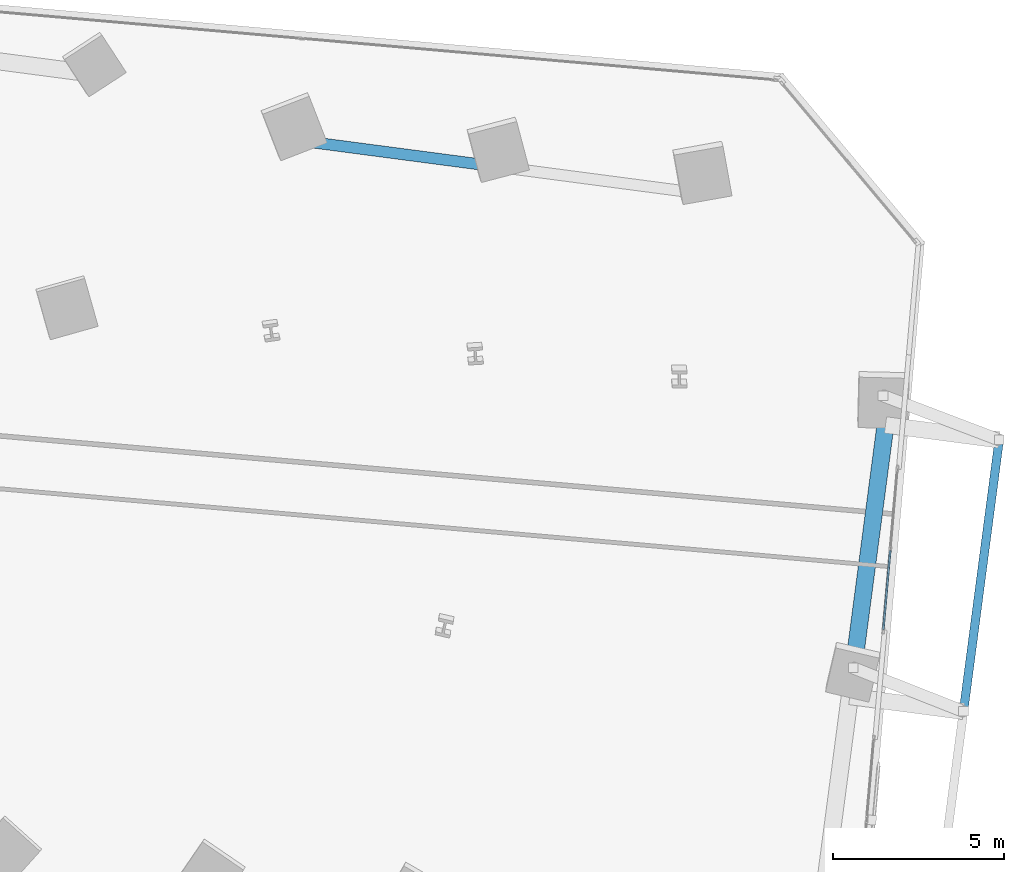
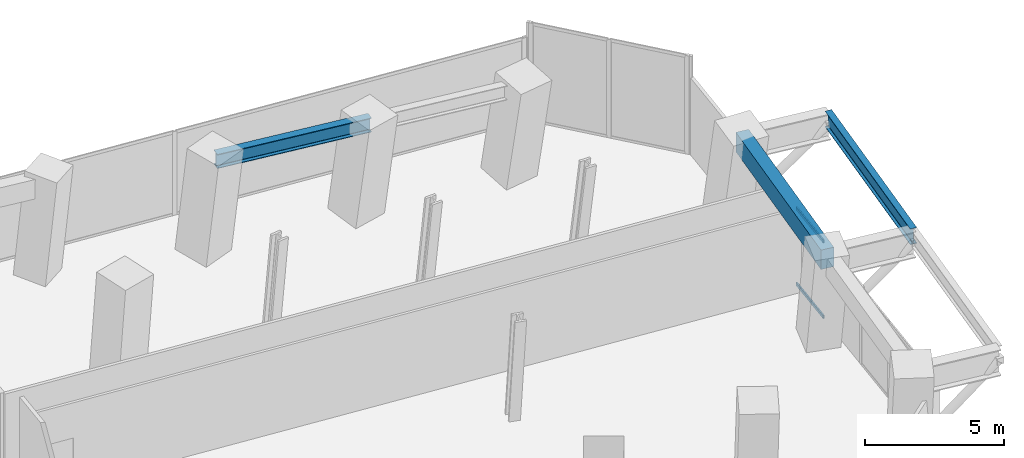
# One storey, part 11 of 23: 3 beams, 2 members, 1 element without a shape of its own.
"""IFC4 building model written with IfcOpenShell, lengths in metres."""

from ifc_helpers import new_model, si_unit, direction, frame, origin, origin_2d, place, context, subcontext, project, spatial, rectangle, hollow_rectangle, i_section, extrude, source, transform, mapped, material, material_profile, profile_set, type_object, element, aggregate, save


model = new_model("IFC4")

# Units and contexts
model_context = context("Model", 3, precision=1e-05, world=origin(), true_north=direction((0.0, 1.0)))
body_context = subcontext(model_context, "Body", "Model", "MODEL_VIEW")
ifc_project = project(units=[si_unit("LENGTHUNIT", "METRE"), si_unit("AREAUNIT", "SQUARE_METRE"), si_unit("VOLUMEUNIT", "CUBIC_METRE"), si_unit("PLANEANGLEUNIT", "RADIAN"), si_unit("MASSUNIT", "GRAM", prefix="KILO")], contexts=[model_context])

# Site, building, storey
site_placement = place(None, origin())
site = spatial("IfcSite", under=ifc_project, at=site_placement, CompositionType="ELEMENT")
building_placement = place(site_placement, origin())
building = spatial("IfcBuilding", under=site, at=building_placement, Name="Torre Montelarca", CompositionType="ELEMENT")
storey_placement = place(building_placement, frame((0.0, 0.0, 56.800048828125)))
storey = spatial("IfcBuildingStorey", under=building, at=storey_placement, Name="L12", CompositionType="ELEMENT", Elevation=56.800048828125)

# Beams
ifc_material_1 = material(Name="Concrete C55/67", Category="concrete")
ifc_material_profile_1 = material_profile(ifc_material_1, rectangle(XDim=0.5, YDim=0.85009765625, at=origin_2d()), Name="RCB500X850", Category="concrete")
ifc_profile_set_1 = profile_set([ifc_material_profile_1], Name="Concrete C55/67")
beam_type_1 = type_object("IfcBeamType", Name="BM-SP-RC850-EXT", PredefinedType="SPANDREL", material=ifc_profile_set_1)
shared_shape_1 = source(origin(), body_context, "Body", "SweptSolid", [
    extrude(rectangle(XDim=0.5, YDim=0.85009765625, at=origin_2d()), origin(), (0.0, 0.0, 1.0), 8.0),
])
beam_1_placement = place(storey_placement, frame((59.670654296875, 26.974609375, 4.135009765625), z_axis=(0.130522402305, 0.991445360318, 0.0), x_axis=(-0.991445360318, 0.130522402305, 0.0)))
element("IfcBeam", 1, at=beam_1_placement, inside=storey, type_object=beam_type_1, Name="L12 Grid Girder Y 32.0-40.0 at X=60.0", PredefinedType="SPANDREL", context=body_context, shape_type="MappedRepresentation", body=[
    mapped(shared_shape_1, transform((0.0, 0.0, 0.0), scale=1.0)),
])
ifc_material_2 = material(Name="Steel ASTM A992 Grade 50", Category="steel")
ifc_material_profile_2 = material_profile(ifc_material_2, i_section(OverallWidth=0.326904296875, OverallDepth=0.6220703125, WebThickness=0.015380859375, FlangeThickness=0.0244140625, FilletRadius=0.014892578125, at=origin_2d()), Name="W610X195", Category="steel")
ifc_profile_set_2 = profile_set([ifc_material_profile_2], Name="Steel ASTM A992 Grade 50")
beam_type_2 = type_object("IfcBeamType", Name="BM-G-W610H", PredefinedType="BEAM", material=ifc_profile_set_2)
shared_shape_2 = source(origin(), body_context, "Body", "SweptSolid", [
    extrude(i_section(OverallWidth=0.326904296875, OverallDepth=0.6220703125, WebThickness=0.015380859375, FlangeThickness=0.0244140625, FilletRadius=0.014892578125, at=origin_2d()), origin(), (0.0, 0.0, 1.0), 5.999755859375),
])
beam_2_placement = place(storey_placement, frame((43.652099609375, 43.204345703125, 4.2490234375), z_axis=(0.991448616074, -0.130497669269, 0.0), x_axis=(0.130497669269, 0.991448616074, 0.0)))
element("IfcBeam", 2, at=beam_2_placement, inside=storey, type_object=beam_type_2, Name="L12 Grid Girder X 42.0-48.0 at Y=46.0", PredefinedType="BEAM", context=body_context, shape_type="MappedRepresentation", body=[
    mapped(shared_shape_2, transform((0.0, 0.0, 0.0), scale=1.0)),
])
ifc_material_profile_3 = material_profile(ifc_material_2, i_section(OverallWidth=0.256103515625, OverallDepth=0.693115234375, WebThickness=0.014404296875, FlangeThickness=0.023681640625, FilletRadius=0.01806640625, at=origin_2d()), Name="W690X170", Category="steel")
ifc_profile_set_3 = profile_set([ifc_material_profile_3], Name="Steel ASTM A992 Grade 50")
beam_type_3 = type_object("IfcBeamType", Name="BM-G-W690-EXT", PredefinedType="BEAM", material=ifc_profile_set_3)
shared_shape_3 = source(origin(), body_context, "Body", "SweptSolid", [
    extrude(i_section(OverallWidth=0.256103515625, OverallDepth=0.693115234375, WebThickness=0.014404296875, FlangeThickness=0.023681640625, FilletRadius=0.01806640625, at=origin_2d()), origin(), (0.0, 0.0, 1.0), 7.999755859375),
])
beam_3_placement = place(storey_placement, frame((62.991943359375, 26.53759765625, 4.212890625), z_axis=(0.130526351537, 0.991444840399, 0.0), x_axis=(-0.991444840399, 0.130526351537, 0.0)))
element("IfcBeam", 3, at=beam_3_placement, inside=storey, type_object=beam_type_3, Name="L12 Sliding Tray Edge Girder East 32-40m (FLR)", PredefinedType="BEAM", context=body_context, shape_type="MappedRepresentation", body=[
    mapped(shared_shape_3, transform((0.0, 0.0, 0.0), scale=1.0)),
])

# Curtain wall, members
ifc_material_3 = material(Name="Insulated low-E laminated glass", Category="glass")
curtain_wall_type = type_object("IfcCurtainWallType", Name="CW-SYS-Z1", PredefinedType="USERDEFINED", material=ifc_material_3)
curtain_wall_placement = place(storey_placement, origin())
curtain_wall = element("IfcCurtainWall", 4, at=curtain_wall_placement, inside=storey, type_object=curtain_wall_type, Name="L12 Curtain Wall Run CW-T3-L12-E06-B2", ObjectType="UNITISED GLAZING", PredefinedType="USERDEFINED")
ifc_material_4 = material(Name="Anodised aluminium AA 6063-T6", Category="aluminium")
ifc_material_profile_4 = material_profile(ifc_material_4, hollow_rectangle(XDim=0.06494140625, YDim=0.139892578125, WallThickness=0.00390625, InnerFilletRadius=0.00390625, OuterFilletRadius=0.008056640625, at=origin_2d()), Name="ALU65X140X4", Category="aluminium")
ifc_profile_set_4 = profile_set([ifc_material_profile_4], Name="Anodised aluminium AA 6063-T6")
member_type = type_object("IfcMemberType", Name="CWT-ALU140", PredefinedType="USERDEFINED", material=ifc_profile_set_4)
shared_shape_4 = source(origin(), body_context, "Body", "SweptSolid", [
    extrude(hollow_rectangle(XDim=0.06494140625, YDim=0.139892578125, WallThickness=0.00390625, InnerFilletRadius=0.00390625, OuterFilletRadius=0.008056640625, at=origin_2d()), origin(), (0.0, 0.0, 1.0), 2.3115234375),
])
member_1_placement = place(storey_placement, frame((60.6513671875, 28.93115234375, 0.032470703125), z_axis=(0.087240320775, 0.996187294855, 0.0), x_axis=(-0.996187294855, 0.087240320775, 0.0)))
member_1 = element("IfcMember", 5, at=member_1_placement, type_object=member_type, Name="CW transom 1.1", ObjectType="TRANSOM", PredefinedType="USERDEFINED", context=body_context, shape_type="MappedRepresentation", body=[
    mapped(shared_shape_4, transform((0.0, 0.0, 0.0), scale=1.0)),
])
member_2_placement = place(storey_placement, frame((60.6513671875, 28.93115234375, 3.342529296875), z_axis=(0.087240320775, 0.996187294855, 0.0), x_axis=(-0.996187294855, 0.087240320775, 0.0)))
member_2 = element("IfcMember", 6, at=member_2_placement, type_object=member_type, Name="CW transom 1.2", ObjectType="TRANSOM", PredefinedType="USERDEFINED", context=body_context, shape_type="MappedRepresentation", body=[
    mapped(shared_shape_4, transform((0.0, 0.0, 0.0), scale=1.0)),
])
aggregate(curtain_wall, [member_1, member_2])

save(model, "model.ifc")
